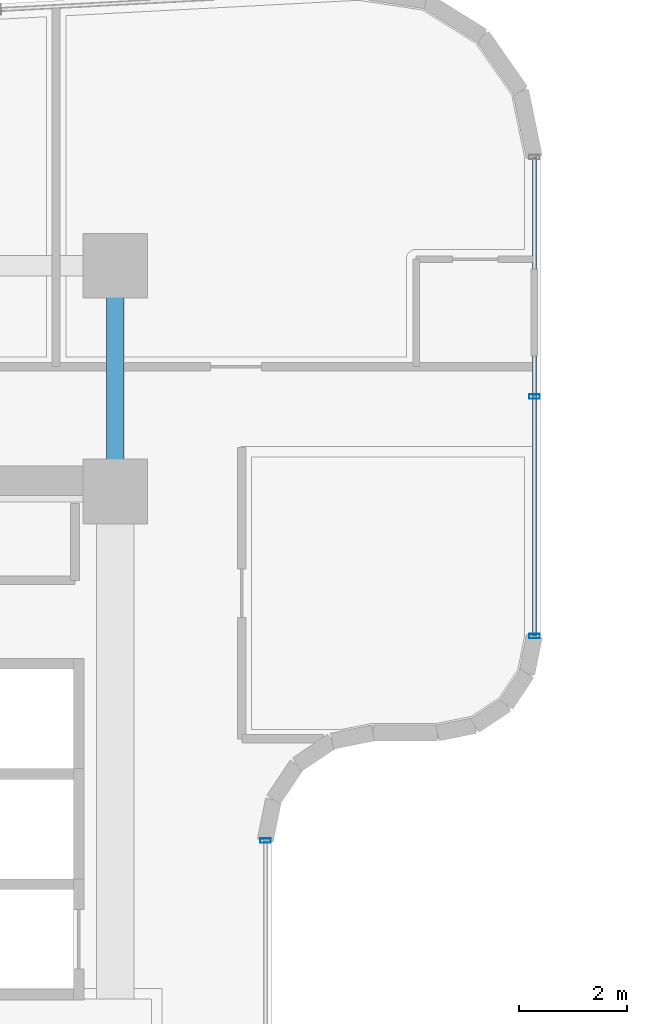
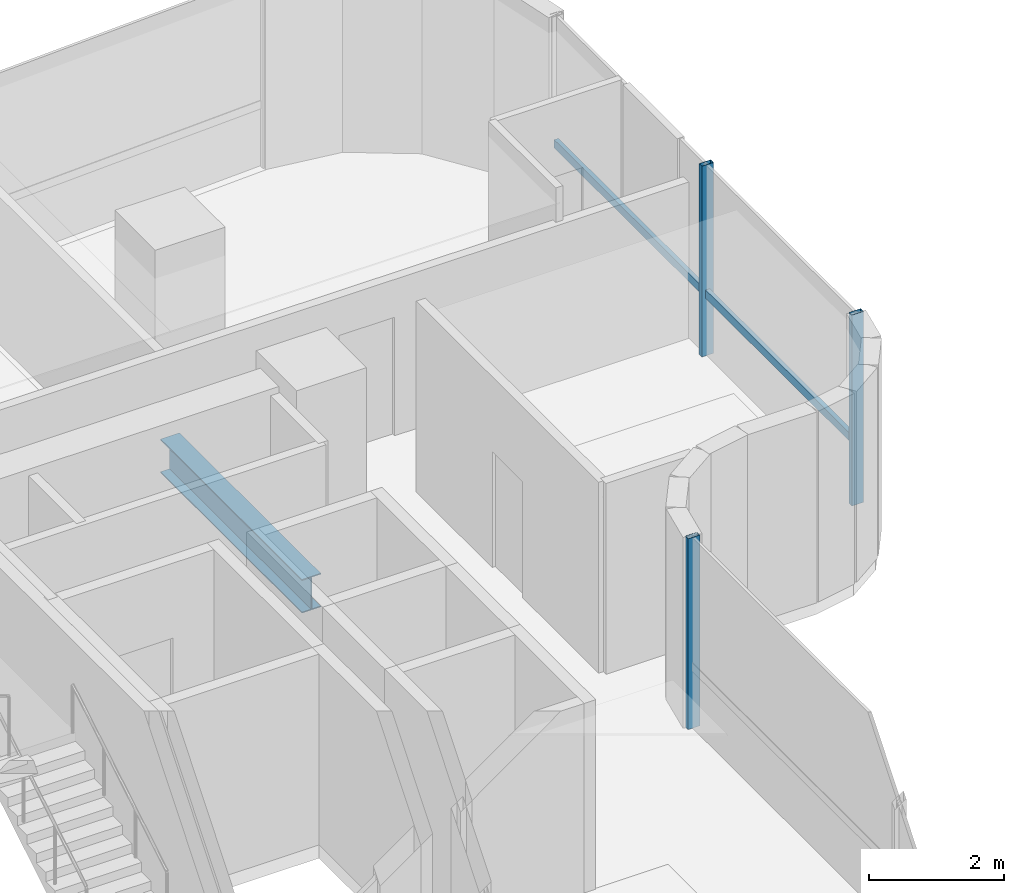
# One storey, part 11 of 33: 4 members, 1 beam, 2 elements without a shape of their own.
"""IFC4 building model written with IfcOpenShell, lengths in metres."""

from ifc_helpers import new_model, si_unit, direction, frame, origin, origin_2d, place, context, subcontext, project, spatial, hollow_rectangle, i_section, extrude, source, transform, mapped, material, material_profile, profile_set, type_object, element, aggregate, save


model = new_model("IFC4")

# Units and contexts
model_context = context("Model", 3, precision=1e-05, world=origin(), true_north=direction((0.0, 1.0)))
body_context = subcontext(model_context, "Body", "Model", "MODEL_VIEW")
ifc_project = project(units=[si_unit("LENGTHUNIT", "METRE"), si_unit("AREAUNIT", "SQUARE_METRE"), si_unit("VOLUMEUNIT", "CUBIC_METRE"), si_unit("PLANEANGLEUNIT", "RADIAN"), si_unit("MASSUNIT", "GRAM", prefix="KILO")], contexts=[model_context])

# Site, building, storey
site_placement = place(None, origin())
site = spatial("IfcSite", under=ifc_project, at=site_placement, CompositionType="ELEMENT")
building_placement = place(site_placement, origin())
building = spatial("IfcBuilding", under=site, at=building_placement, Name="Valdorenza Pilgrim Sanctuary Tower", CompositionType="ELEMENT")
storey_placement = place(building_placement, frame((0.0, 0.0, 157.5)))
storey = spatial("IfcBuildingStorey", under=building, at=storey_placement, Name="L40", CompositionType="ELEMENT", Elevation=157.5)

# Beam
ifc_material_1 = material(Name="Steel ASTM A992 Grade 50", Category="steel")
ifc_material_profile_1 = material_profile(ifc_material_1, i_section(OverallWidth=0.323974609375, OverallDepth=0.611083984375, WebThickness=0.0126953125, FlangeThickness=0.01904296875, at=origin_2d()), Name="W24X104")
ifc_profile_set_1 = profile_set([ifc_material_profile_1], Name="Steel ASTM A992 Grade 50")
beam_type = type_object("IfcBeamType", Name="STR-BM-GRD-W24B", PredefinedType="BEAM", material=ifc_profile_set_1)
shared_shape_1 = source(origin(), body_context, "Body", "SweptSolid", [
    extrude(i_section(OverallWidth=0.323974609375, OverallDepth=0.611083984375, WebThickness=0.0126953125, FlangeThickness=0.01904296875, at=origin_2d()), origin(), (0.0, 0.0, 1.0), 4.199951171875),
])
beam_placement = place(storey_placement, frame((-12.39990234375, 10.60009765625, -0.54541015625), z_axis=(0.0, 1.0, 0.0), x_axis=(-1.0, 0.0, 0.0)))
element("IfcBeam", 1, at=beam_placement, inside=storey, type_object=beam_type, Name="L40 Core Tie Girder CA-E-N1N2", PredefinedType="BEAM", context=body_context, shape_type="MappedRepresentation", body=[
    mapped(shared_shape_1, transform((0.0, 0.0, 0.0), x_axis=(1.0, 0.0, 0.0), y_axis=(0.0, 1.0, 0.0), z_axis=(0.0, 0.0, 1.0), scale=1.0)),
])

# Curtain wall, members
ifc_material_2 = material(Name="Curtain-wall IGU glazing", Category="glass")
curtain_wall_type = type_object("IfcCurtainWallType", Name="CW-SYS-02", PredefinedType="NOTDEFINED", material=ifc_material_2)
curtain_wall_1_placement = place(storey_placement, origin())
curtain_wall_1 = element("IfcCurtainWall", 2, at=curtain_wall_1_placement, inside=storey, type_object=curtain_wall_type, Name="L40 Curtain Wall CW-L40-1-11", PredefinedType="NOTDEFINED")
ifc_material_3 = material(Name="Anodised aluminium AW-6060", Category="aluminium")
ifc_material_profile_2 = material_profile(ifc_material_3, hollow_rectangle(XDim=0.0849609375, YDim=0.199951171875, WallThickness=0.0048828125, at=origin_2d()), Name="ALU-M 200x85x5")
ifc_profile_set_2 = profile_set([ifc_material_profile_2], Name="Anodised aluminium AW-6060")
member_type_1 = type_object("IfcMemberType", Name="CW-MUL-02", PredefinedType="MULLION", material=ifc_profile_set_2)
shared_shape_2 = source(origin(), body_context, "Body", "SweptSolid", [
    extrude(hollow_rectangle(XDim=0.0849609375, YDim=0.199951171875, WallThickness=0.0048828125, at=origin_2d()), origin(), (0.0, 0.0, 1.0), 3.4599609375),
])
member_1_placement = place(storey_placement, frame((-4.610107421875, 12.363037109375, 0.0), z_axis=(0.0, 0.0, 1.0), x_axis=(0.0, -1.0, 0.0)))
member_1 = element("IfcMember", 3, at=member_1_placement, type_object=member_type_1, Name="CW-L40-1-11 Mullion 2", PredefinedType="MULLION", context=body_context, shape_type="MappedRepresentation", body=[
    mapped(shared_shape_2, transform((0.0, 0.0, 0.0), x_axis=(1.0, 0.0, 0.0), y_axis=(0.0, 1.0, 0.0), z_axis=(0.0, 0.0, 1.0), scale=1.0)),
])
member_2_placement = place(storey_placement, frame((-4.610107421875, 7.910888671875, 0.0), z_axis=(0.0, 0.0, 1.0), x_axis=(0.0, -1.0, 0.0)))
member_2 = element("IfcMember", 4, at=member_2_placement, type_object=member_type_1, Name="CW-L40-1-11 Mullion 3", PredefinedType="MULLION", context=body_context, shape_type="MappedRepresentation", body=[
    mapped(shared_shape_2, transform((0.0, 0.0, 0.0), x_axis=(1.0, 0.0, 0.0), y_axis=(0.0, 1.0, 0.0), z_axis=(0.0, 0.0, 1.0), scale=1.0)),
])

# Curtain wall, member
curtain_wall_2_placement = place(storey_placement, origin())
curtain_wall_2 = element("IfcCurtainWall", 5, at=curtain_wall_2_placement, inside=storey, type_object=curtain_wall_type, Name="L40 Curtain Wall CW-L40-1-21", PredefinedType="NOTDEFINED")
member_3_placement = place(storey_placement, frame((-9.610107421875, 4.11083984375, 0.0), z_axis=(0.0, 0.0, 1.0), x_axis=(0.0, -1.0, 0.0)))
member_3 = element("IfcMember", 6, at=member_3_placement, type_object=member_type_1, Name="CW-L40-1-21 Mullion 1", PredefinedType="MULLION", context=body_context, shape_type="MappedRepresentation", body=[
    mapped(shared_shape_2, transform((0.0, 0.0, 0.0), x_axis=(1.0, 0.0, 0.0), y_axis=(0.0, 1.0, 0.0), z_axis=(0.0, 0.0, 1.0), scale=1.0)),
])
aggregate(curtain_wall_2, [member_3])

# Member
ifc_material_profile_3 = material_profile(ifc_material_3, hollow_rectangle(XDim=0.074951171875, YDim=0.14990234375, WallThickness=0.00390625, at=origin_2d()), Name="ALU-T 150x75x4")
ifc_profile_set_3 = profile_set([ifc_material_profile_3], Name="Anodised aluminium AW-6060")
member_type_2 = type_object("IfcMemberType", Name="CW-TRN-02", PredefinedType="USERDEFINED", material=ifc_profile_set_3)
shared_shape_3 = source(origin(), body_context, "Body", "SweptSolid", [
    extrude(hollow_rectangle(XDim=0.074951171875, YDim=0.14990234375, WallThickness=0.00390625, at=origin_2d()), origin(), (0.0, 0.0, 1.0), 8.904296875),
])
member_4_placement = place(storey_placement, frame((-4.610107421875, 16.815185546875, 1.1201171875), z_axis=(0.0, -1.0, 0.0), x_axis=(1.0, 0.0, 0.0)))
member_4 = element("IfcMember", 7, at=member_4_placement, type_object=member_type_2, Name="CW-L40-1-11 Transom 1", ObjectType="TRANSOM", PredefinedType="USERDEFINED", context=body_context, shape_type="MappedRepresentation", body=[
    mapped(shared_shape_3, transform((0.0, 0.0, 0.0), x_axis=(1.0, 0.0, 0.0), y_axis=(0.0, 1.0, 0.0), z_axis=(0.0, 0.0, 1.0), scale=1.0)),
])

aggregate(curtain_wall_1, [member_1, member_2, member_4])

save(model, "model.ifc")
